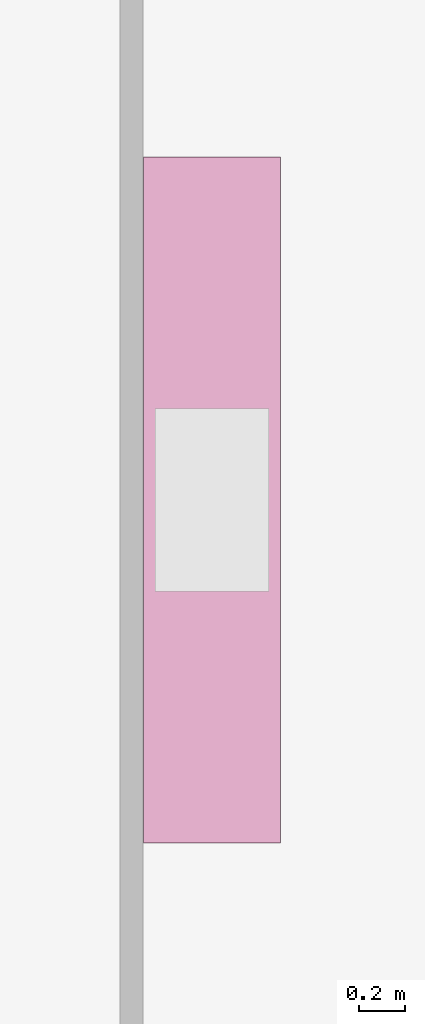
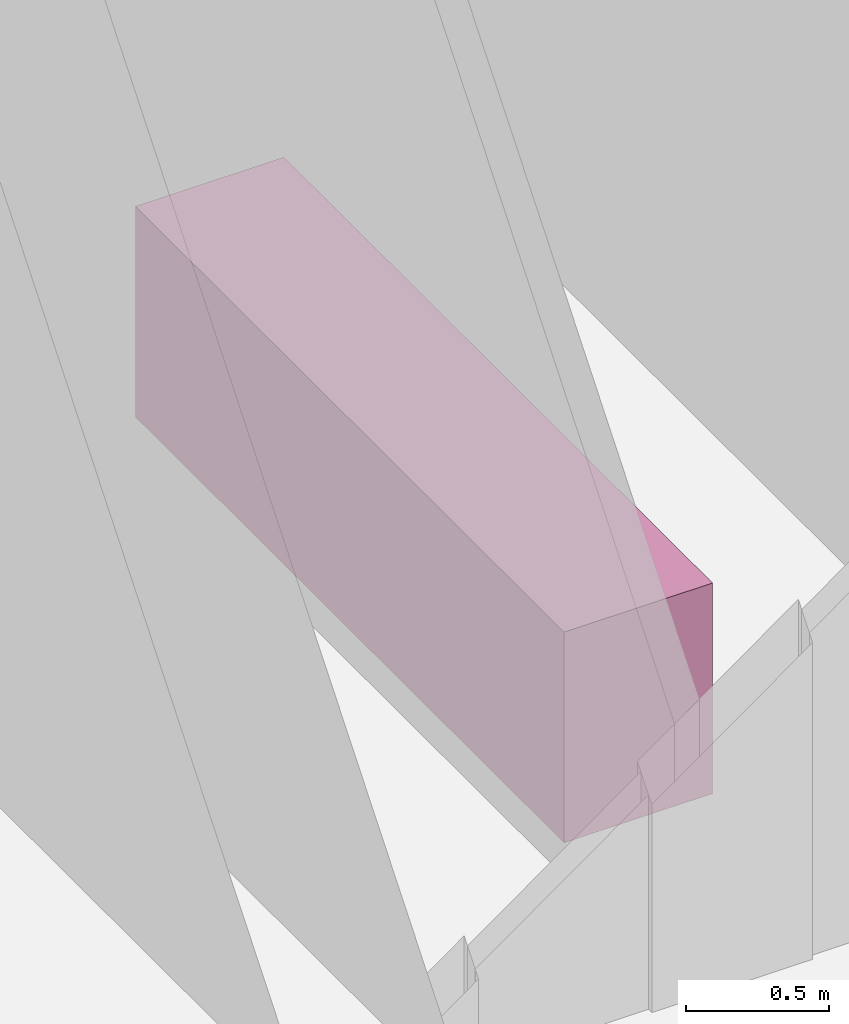
# One storey, part 24 of 24: 1 furniture element.
"""IFC4 building model written with IfcOpenShell, lengths in metres."""

from ifc_helpers import new_model, si_unit, direction, frame, origin, origin_2d, place, context, subcontext, project, spatial, rectangle, extrude, material, type_object, element, save


model = new_model("IFC4")

# Units and contexts
model_context = context("Model", 3, precision=1e-05, world=origin(), true_north=direction((0.0, 1.0)))
body_context = subcontext(model_context, "Body", "Model", "MODEL_VIEW")
ifc_project = project(units=[si_unit("LENGTHUNIT", "METRE"), si_unit("AREAUNIT", "SQUARE_METRE"), si_unit("VOLUMEUNIT", "CUBIC_METRE"), si_unit("PLANEANGLEUNIT", "RADIAN"), si_unit("MASSUNIT", "GRAM", prefix="KILO")], contexts=[model_context])

# Site, building, storey
site_placement = place(None, origin())
site = spatial("IfcSite", under=ifc_project, at=site_placement, CompositionType="ELEMENT")
building_placement = place(site_placement, origin())
building = spatial("IfcBuilding", under=site, at=building_placement, Name="Kvirike Care Tower", CompositionType="ELEMENT")
storey_placement = place(building_placement, frame((0.0, 0.0, 22.5)))
storey = spatial("IfcBuildingStorey", under=building, at=storey_placement, Name="L05", CompositionType="ELEMENT", Elevation=22.5)

# Furniture
ifc_material = material(Name="Laminated board", Category="wood")
furniture_type = type_object("IfcFurnitureType", Name="KITCHEN UNIT RUN 600", AssemblyPlace="FACTORY", PredefinedType="USERDEFINED", material=ifc_material)
furniture_placement = place(storey_placement, frame((16.052001953125, 39.60009765625, 0.0), z_axis=(0.0, 0.0, 1.0), x_axis=(0.0, 1.0, 0.0)))
element("IfcFurniture", 1, at=furniture_placement, inside=storey, type_object=furniture_type, Name="Kitchen unit run L05-063", ObjectType="KITCHEN UNIT", PredefinedType="USERDEFINED", context=body_context, shape_type="SweptSolid", body=[
    extrude(rectangle(XDim=3.0, YDim=0.60009765625, at=origin_2d()), origin(), (0.0, 0.0, 1.0), 0.89990234375),
])

save(model, "model.ifc")
